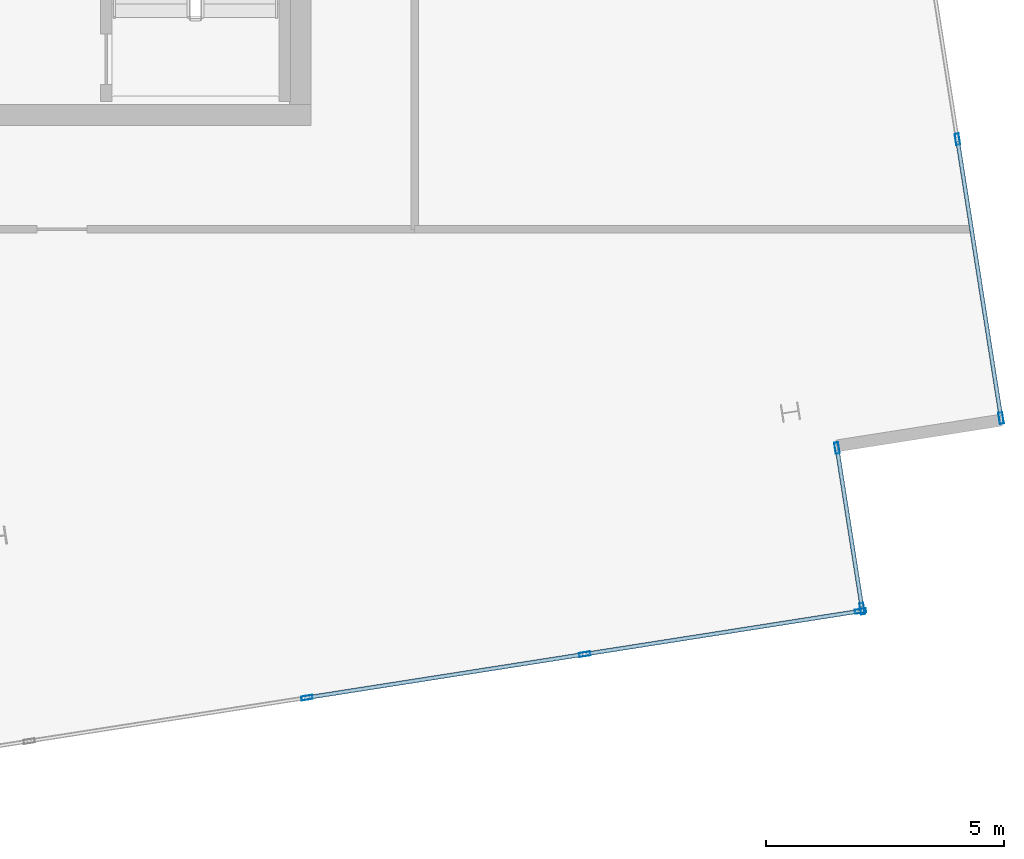
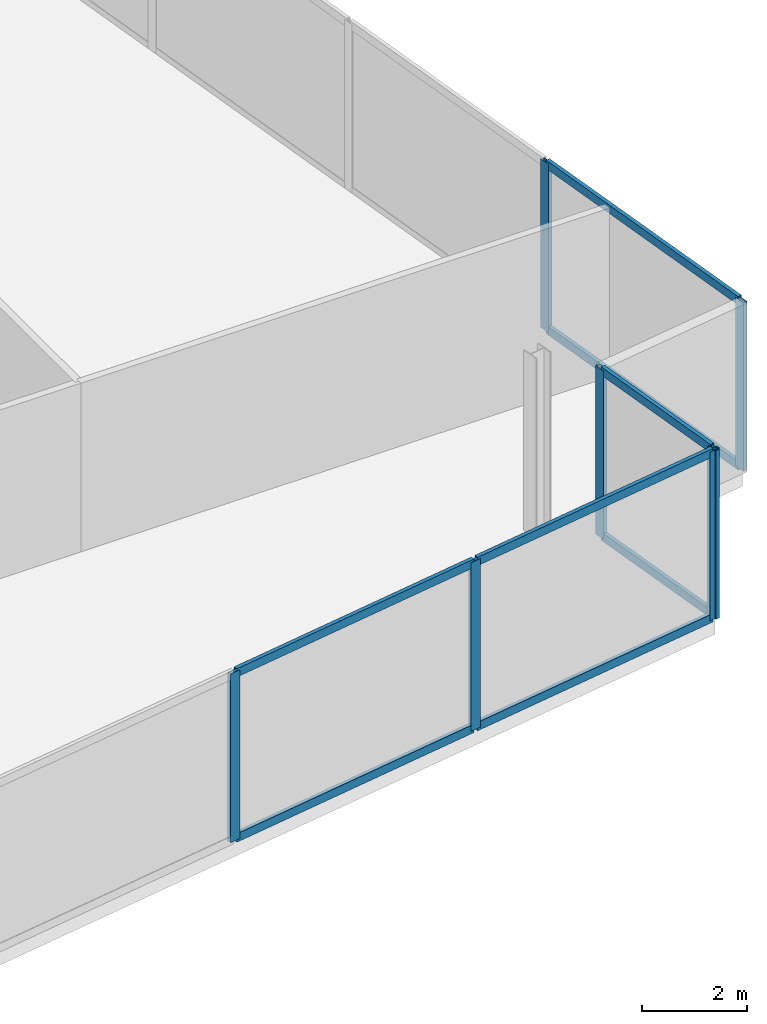
# One storey, part 5 of 13: 15 members, 3 elements without a shape of their own.
"""IFC4 building model written with IfcOpenShell, lengths in metres."""

from ifc_helpers import new_model, si_unit, direction, frame, origin, origin_2d, place, context, subcontext, project, spatial, hollow_rectangle, extrude, material, material_profile, profile_set, type_object, element, aggregate, save


model = new_model("IFC4")

# Units and contexts
model_context = context("Model", 3, precision=1e-05, world=origin(), true_north=direction((0.0, 1.0)))
body_context = subcontext(model_context, "Body", "Model", "MODEL_VIEW")
ifc_project = project(units=[si_unit("LENGTHUNIT", "METRE"), si_unit("AREAUNIT", "SQUARE_METRE"), si_unit("VOLUMEUNIT", "CUBIC_METRE"), si_unit("PLANEANGLEUNIT", "RADIAN"), si_unit("MASSUNIT", "GRAM", prefix="KILO")], contexts=[model_context])

# Site, building, storey
site_placement = place(None, origin())
site = spatial("IfcSite", under=ifc_project, at=site_placement, CompositionType="ELEMENT")
building_placement = place(site_placement, origin())
building = spatial("IfcBuilding", under=site, at=building_placement, Name="Haldenkirk Collegiate Tower", CompositionType="ELEMENT")
storey_placement = place(building_placement, frame((0.0, 0.0, 356.39990234375)))
storey = spatial("IfcBuildingStorey", under=building, at=storey_placement, Name="L90", CompositionType="ELEMENT", Elevation=356.39990234375)

# Curtain wall, members
ifc_material = material(Name="Anodised architectural bronze aluminium", Category="aluminium")
curtain_wall_type = type_object("IfcCurtainWallType", Name="CW-SYS5-LANTERN", PredefinedType="USERDEFINED", material=ifc_material)
curtain_wall_1_placement = place(storey_placement, origin())
curtain_wall_1 = element("IfcCurtainWall", 1, at=curtain_wall_1_placement, inside=storey, type_object=curtain_wall_type, Name="L90 Level L90 glazed crown lantern curtain wall", ObjectType="UNITISED CURTAIN WALL", PredefinedType="USERDEFINED")
ifc_material_profile_1 = material_profile(ifc_material, hollow_rectangle(XDim=0.0849609375, YDim=0.235107421875, WallThickness=0.0048828125, at=origin_2d()), Name="CW-MUL-05")
ifc_profile_set_1 = profile_set([ifc_material_profile_1], Name="Anodised architectural bronze aluminium")
member_type_1 = type_object("IfcMemberType", Name="CW-MUL-05", PredefinedType="MULLION", material=ifc_profile_set_1)
member_1_placement = place(storey_placement, frame((58.791015625, 17.490234375, 0.0), z_axis=(0.0, 0.0, 1.0), x_axis=(0.987959532462, 0.154712514742, 0.0)))
member_1 = element("IfcMember", 2, at=member_1_placement, type_object=member_type_1, Name="CW-05 mullion 6", PredefinedType="MULLION", context=body_context, shape_type="SweptSolid", body=[
    extrude(hollow_rectangle(XDim=0.0849609375, YDim=0.235107421875, WallThickness=0.0048828125, at=origin_2d()), origin(), (0.0, 0.0, 1.0), 3.93017578125),
])
member_2_placement = place(storey_placement, frame((59.70751953125, 11.637451171875, 0.0), z_axis=(0.0, 0.0, 1.0), x_axis=(0.987959532462, 0.154712514742, 0.0)))
member_2 = element("IfcMember", 3, at=member_2_placement, type_object=member_type_1, Name="CW-05 mullion 7", PredefinedType="MULLION", context=body_context, shape_type="SweptSolid", body=[
    extrude(hollow_rectangle(XDim=0.0849609375, YDim=0.235107421875, WallThickness=0.0048828125, at=origin_2d()), origin(), (0.0, 0.0, 1.0), 3.93017578125),
])

curtain_wall_2_placement = place(storey_placement, origin())
curtain_wall_2 = element("IfcCurtainWall", 4, at=curtain_wall_2_placement, inside=storey, type_object=curtain_wall_type, Name="L90 Level L90 glazed crown lantern curtain wall", ObjectType="UNITISED CURTAIN WALL", PredefinedType="USERDEFINED")
member_3_placement = place(storey_placement, frame((56.755615234375, 7.58935546875, 0.0), z_axis=(0.0, 0.0, 1.0), x_axis=(0.154708982189, -0.987960085646, 0.0)))
member_3 = element("IfcMember", 5, at=member_3_placement, type_object=member_type_1, Name="CW-05 mullion 1", PredefinedType="MULLION", context=body_context, shape_type="SweptSolid", body=[
    extrude(hollow_rectangle(XDim=0.0849609375, YDim=0.235107421875, WallThickness=0.0048828125, at=origin_2d()), origin(), (0.0, 0.0, 1.0), 3.93017578125),
])
member_4_placement = place(storey_placement, frame((50.96875, 6.68310546875, 0.0), z_axis=(0.0, 0.0, 1.0), x_axis=(0.154708982189, -0.987960085646, 0.0)))
member_4 = element("IfcMember", 6, at=member_4_placement, type_object=member_type_1, Name="CW-05 mullion 2", PredefinedType="MULLION", context=body_context, shape_type="SweptSolid", body=[
    extrude(hollow_rectangle(XDim=0.0849609375, YDim=0.235107421875, WallThickness=0.0048828125, at=origin_2d()), origin(), (0.0, 0.0, 1.0), 3.93017578125),
])
member_5_placement = place(storey_placement, frame((45.1396484375, 5.7705078125, 0.0), z_axis=(0.0, 0.0, 1.0), x_axis=(0.154708982189, -0.987960085646, 0.0)))
member_5 = element("IfcMember", 7, at=member_5_placement, type_object=member_type_1, Name="CW-05 mullion 3", PredefinedType="MULLION", context=body_context, shape_type="SweptSolid", body=[
    extrude(hollow_rectangle(XDim=0.0849609375, YDim=0.235107421875, WallThickness=0.0048828125, at=origin_2d()), origin(), (0.0, 0.0, 1.0), 3.93017578125),
])

curtain_wall_3_placement = place(storey_placement, origin())
curtain_wall_3 = element("IfcCurtainWall", 8, at=curtain_wall_3_placement, inside=storey, type_object=curtain_wall_type, Name="L90 Level L90 glazed crown lantern curtain wall", ObjectType="UNITISED CURTAIN WALL", PredefinedType="USERDEFINED")
member_6_placement = place(storey_placement, frame((56.2626953125, 11.011962890625, 0.0), z_axis=(0.0, 0.0, 1.0), x_axis=(0.987959546514, 0.154712425009, 0.0)))
member_6 = element("IfcMember", 9, at=member_6_placement, type_object=member_type_1, Name="CW-05 mullion 1", PredefinedType="MULLION", context=body_context, shape_type="SweptSolid", body=[
    extrude(hollow_rectangle(XDim=0.0849609375, YDim=0.235107421875, WallThickness=0.0048828125, at=origin_2d()), origin(), (0.0, 0.0, 1.0), 3.93017578125),
])
member_7_placement = place(storey_placement, frame((56.791015625, 7.637939453125, 0.0), z_axis=(0.0, 0.0, 1.0), x_axis=(0.987959546514, 0.154712425009, 0.0)))
member_7 = element("IfcMember", 10, at=member_7_placement, type_object=member_type_1, Name="CW-05 mullion 2", PredefinedType="MULLION", context=body_context, shape_type="SweptSolid", body=[
    extrude(hollow_rectangle(XDim=0.0849609375, YDim=0.235107421875, WallThickness=0.0048828125, at=origin_2d()), origin(), (0.0, 0.0, 1.0), 3.93017578125),
])

# Member
ifc_material_profile_2 = material_profile(ifc_material, hollow_rectangle(XDim=0.0849609375, YDim=0.195068359375, WallThickness=0.0048828125, at=origin_2d()), Name="CW-TRN-05")
ifc_profile_set_2 = profile_set([ifc_material_profile_2], Name="Anodised architectural bronze aluminium")
member_type_2 = type_object("IfcMemberType", Name="CW-TRN-05", PredefinedType="USERDEFINED", material=ifc_profile_set_2)
member_8_placement = place(storey_placement, frame((58.797607421875, 17.4482421875, 0.04248046875), z_axis=(0.154702115839, -0.987961160853, 0.0), x_axis=(0.987961160853, 0.154702115839, 0.0)))
member_8 = element("IfcMember", 11, at=member_8_placement, type_object=member_type_2, Name="CW-05 transom 6.1", ObjectType="TRANSOM", PredefinedType="USERDEFINED", context=body_context, shape_type="SweptSolid", body=[
    extrude(hollow_rectangle(XDim=0.0849609375, YDim=0.195068359375, WallThickness=0.0048828125, at=origin_2d()), origin(), (0.0, 0.0, 1.0), 5.839111328125),
])

member_9_placement = place(storey_placement, frame((58.797607421875, 17.4482421875, 3.8876953125), z_axis=(0.154702115839, -0.987961160853, 0.0), x_axis=(0.987961160853, 0.154702115839, 0.0)))
member_9 = element("IfcMember", 12, at=member_9_placement, type_object=member_type_2, Name="CW-05 transom 6.2", ObjectType="TRANSOM", PredefinedType="USERDEFINED", context=body_context, shape_type="SweptSolid", body=[
    extrude(hollow_rectangle(XDim=0.0849609375, YDim=0.195068359375, WallThickness=0.0048828125, at=origin_2d()), origin(), (0.0, 0.0, 1.0), 5.839111328125),
])

aggregate(curtain_wall_1, [member_1, member_2, member_8, member_9])

member_10_placement = place(storey_placement, frame((56.713623046875, 7.582763671875, 0.04248046875), z_axis=(-0.987959360119, -0.15471361528, 0.0), x_axis=(0.15471361528, -0.987959360119, 0.0)))
member_10 = element("IfcMember", 13, at=member_10_placement, type_object=member_type_2, Name="CW-05 transom 1.1", ObjectType="TRANSOM", PredefinedType="USERDEFINED", context=body_context, shape_type="SweptSolid", body=[
    extrude(hollow_rectangle(XDim=0.0849609375, YDim=0.195068359375, WallThickness=0.0048828125, at=origin_2d()), origin(), (0.0, 0.0, 1.0), 5.7724609375),
])

member_11_placement = place(storey_placement, frame((56.713623046875, 7.582763671875, 3.8876953125), z_axis=(-0.987959360119, -0.15471361528, 0.0), x_axis=(0.15471361528, -0.987959360119, 0.0)))
member_11 = element("IfcMember", 14, at=member_11_placement, type_object=member_type_2, Name="CW-05 transom 1.2", ObjectType="TRANSOM", PredefinedType="USERDEFINED", context=body_context, shape_type="SweptSolid", body=[
    extrude(hollow_rectangle(XDim=0.0849609375, YDim=0.195068359375, WallThickness=0.0048828125, at=origin_2d()), origin(), (0.0, 0.0, 1.0), 5.7724609375),
])

member_12_placement = place(storey_placement, frame((50.9267578125, 6.6767578125, 0.04248046875), z_axis=(-0.987959948292, -0.154709859317, 0.0), x_axis=(0.154709859317, -0.987959948292, 0.0)))
member_12 = element("IfcMember", 15, at=member_12_placement, type_object=member_type_2, Name="CW-05 transom 2.1", ObjectType="TRANSOM", PredefinedType="USERDEFINED", context=body_context, shape_type="SweptSolid", body=[
    extrude(hollow_rectangle(XDim=0.0849609375, YDim=0.195068359375, WallThickness=0.0048828125, at=origin_2d()), origin(), (0.0, 0.0, 1.0), 5.815185546875),
])

member_13_placement = place(storey_placement, frame((50.9267578125, 6.6767578125, 3.8876953125), z_axis=(-0.987959948292, -0.154709859317, 0.0), x_axis=(0.154709859317, -0.987959948292, 0.0)))
member_13 = element("IfcMember", 16, at=member_13_placement, type_object=member_type_2, Name="CW-05 transom 2.2", ObjectType="TRANSOM", PredefinedType="USERDEFINED", context=body_context, shape_type="SweptSolid", body=[
    extrude(hollow_rectangle(XDim=0.0849609375, YDim=0.195068359375, WallThickness=0.0048828125, at=origin_2d()), origin(), (0.0, 0.0, 1.0), 5.815185546875),
])

aggregate(curtain_wall_2, [member_3, member_4, member_5, member_10, member_11, member_12, member_13])

member_14_placement = place(storey_placement, frame((56.269287109375, 10.969970703125, 0.04248046875), z_axis=(0.154761529184, -0.987951855651, 0.0), x_axis=(0.987951855651, 0.154761529184, 0.0)))
member_14 = element("IfcMember", 17, at=member_14_placement, type_object=member_type_2, Name="CW-05 transom 1.1", ObjectType="TRANSOM", PredefinedType="USERDEFINED", context=body_context, shape_type="SweptSolid", body=[
    extrude(hollow_rectangle(XDim=0.0849609375, YDim=0.195068359375, WallThickness=0.0048828125, at=origin_2d()), origin(), (0.0, 0.0, 1.0), 3.330078125),
])

member_15_placement = place(storey_placement, frame((56.269287109375, 10.969970703125, 3.8876953125), z_axis=(0.154761529184, -0.987951855651, 0.0), x_axis=(0.987951855651, 0.154761529184, 0.0)))
member_15 = element("IfcMember", 18, at=member_15_placement, type_object=member_type_2, Name="CW-05 transom 1.2", ObjectType="TRANSOM", PredefinedType="USERDEFINED", context=body_context, shape_type="SweptSolid", body=[
    extrude(hollow_rectangle(XDim=0.0849609375, YDim=0.195068359375, WallThickness=0.0048828125, at=origin_2d()), origin(), (0.0, 0.0, 1.0), 3.330078125),
])

aggregate(curtain_wall_3, [member_6, member_7, member_14, member_15])

save(model, "model.ifc")
